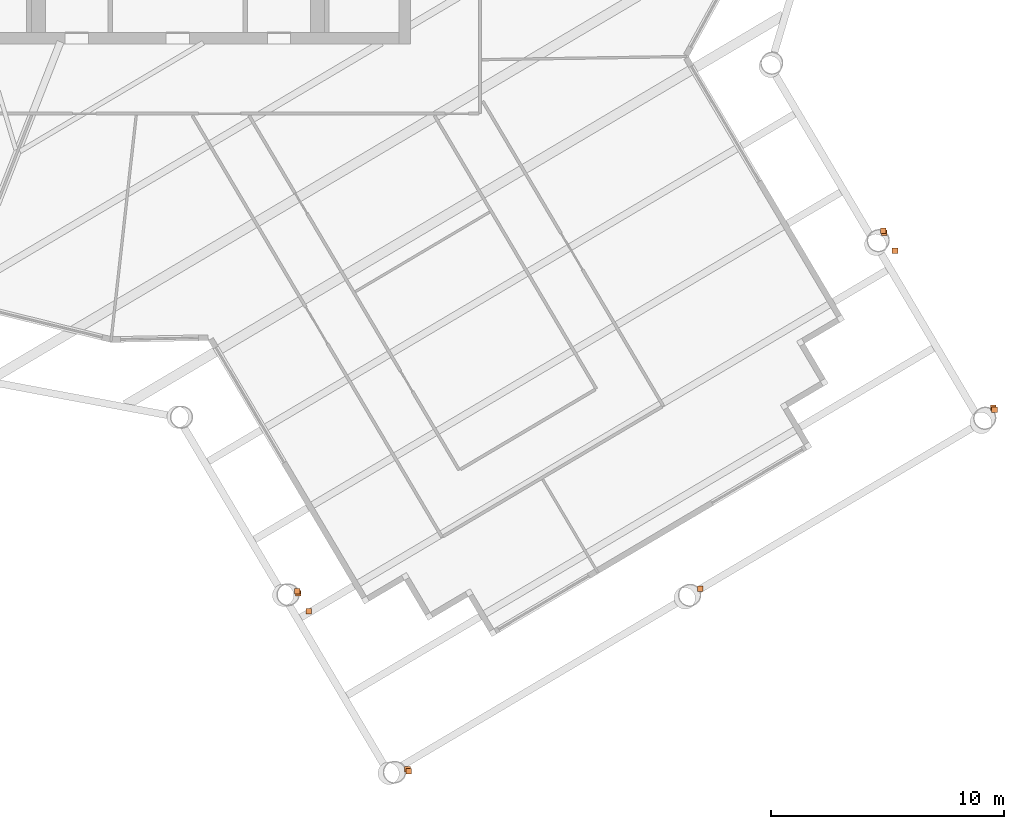
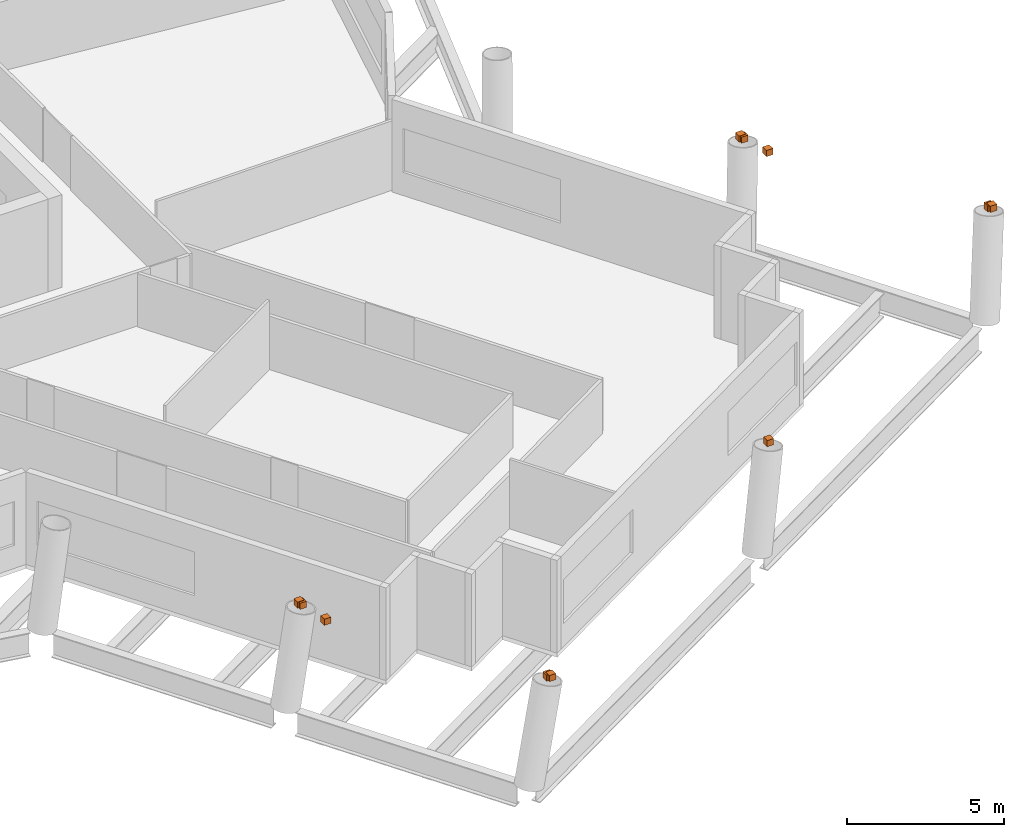
# One storey, part 11 of 11: 11 proxies.
"""IFC4 building model written with IfcOpenShell, lengths in metres."""

from ifc_helpers import new_model, si_unit, direction, frame, origin, origin_2d, place, context, subcontext, project, spatial, rectangle, extrude, material, type_object, element, save


model = new_model("IFC4")

# Units and contexts
model_context = context("Model", 3, precision=1e-05, world=origin(), true_north=direction((0.0, 1.0)))
body_context = subcontext(model_context, "Body", "Model", "MODEL_VIEW")
ifc_project = project(units=[si_unit("LENGTHUNIT", "METRE"), si_unit("AREAUNIT", "SQUARE_METRE"), si_unit("VOLUMEUNIT", "CUBIC_METRE"), si_unit("PLANEANGLEUNIT", "RADIAN"), si_unit("MASSUNIT", "GRAM", prefix="KILO")], contexts=[model_context])

# Site, building, storey
site_placement = place(None, origin())
site = spatial("IfcSite", under=ifc_project, at=site_placement, CompositionType="ELEMENT")
building_placement = place(site_placement, origin())
building = spatial("IfcBuilding", under=site, at=building_placement, Name="Tarsis Ring Headquarters", CompositionType="ELEMENT")
storey_placement = place(building_placement, frame((0.0, 0.0, 350.89990234375)))
storey = spatial("IfcBuildingStorey", under=building, at=storey_placement, Name="L83", CompositionType="ELEMENT", Elevation=350.89990234375)

# Proxies
ifc_material = material(Name="Structural steel S355", Category="steel")
building_element_proxy_type = type_object("IfcBuildingElementProxyType", Name="End cap", PredefinedType="USERDEFINED", material=ifc_material)
for number, where, z_axis, x_axis, name in (
    (1, (9.926025390625, -44.27783203125, 3.76513671875), (0.0, 0.0, 1.0), (1.0, 0.0, 0.0), "End cap L82-EC-X3a"),
    (2, (5.13330078125, -36.54443359375, 3.60888671875), (0.0, 0.0, 1.0), (1.0, 0.0, 0.0), "End cap L82-EC-X3b"),
    (3, (30.324951171875, -21.03369140625, 3.505859375), (0.0, 0.0, 1.0), (1.0, 0.0, 0.0), "End cap L82-EC-X6a"),
    (4, (35.117919921875, -28.735107421875, 3.767578125), (0.0, 0.0, 1.0), (1.0, 0.0, 0.0), "End cap L82-EC-X6b"),
    (5, (5.176025390625, -36.62353515625, 3.5947265625), (0.0, 0.0, 1.0), (1.0, 0.0, 0.0), "End cap L83-EC-3"),
    (6, (9.8759765625, -44.196533203125, 3.74755859375), (0.0, 0.0, 1.0), (1.0, 0.0, 0.0), "End cap L83-EC-4"),
    (7, (22.472412109375, -36.425537109375, 3.75048828125), (0.0, 0.0, 1.0), (1.0, 0.0, 0.0), "End cap L83-EC-5"),
    (8, (35.068603515625, -28.654296875, 3.7529296875), (0.0, 0.0, 1.0), (1.0, 0.0, 0.0), "End cap L83-EC-6"),
    (9, (30.369140625, -21.11376953125, 3.49951171875), (0.0, 0.0, 1.0), (1.0, 0.0, 0.0), "End cap L83-EC-7"),
    (10, (5.62548828125, -37.396240234375, 3.28662109375), (0.0, 0.0, 1.0), (1.0, 0.0, 0.0), "End cap L84-EC-B3"),
    (11, (30.83837890625, -21.888671875, 3.283203125), (0.0, 0.0, 1.0), (1.0, 0.0, 0.0), "End cap L84-EC-B5"),
):
    element("IfcBuildingElementProxy", number, at=place(storey_placement, frame(where, z_axis=z_axis, x_axis=x_axis)), inside=storey, type_object=building_element_proxy_type, Name=name, ObjectType="End cap", PredefinedType="USERDEFINED", context=body_context, shape_type="SweptSolid", body=[
        extrude(rectangle(XDim=0.239990234375, YDim=0.239990234375, at=origin_2d()), origin(), (0.0, 0.0, 1.0), 0.239990234375),
    ])

save(model, "model.ifc")
